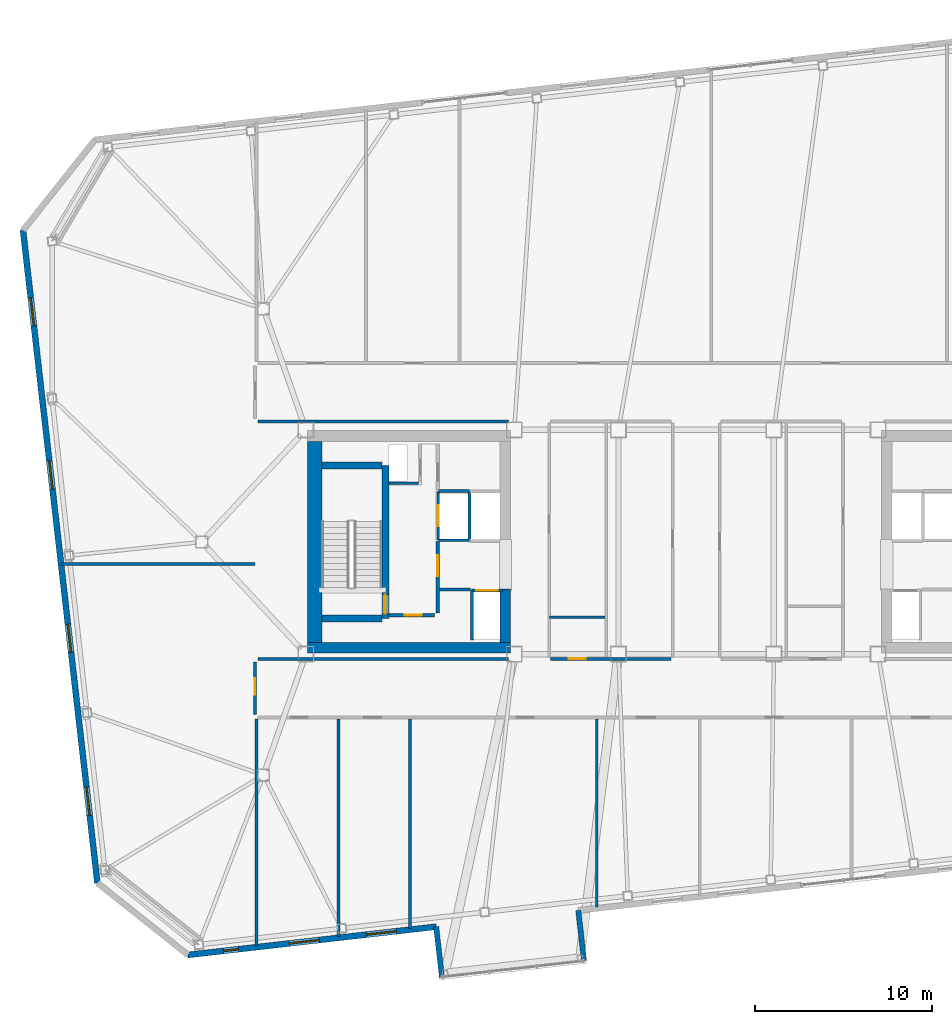
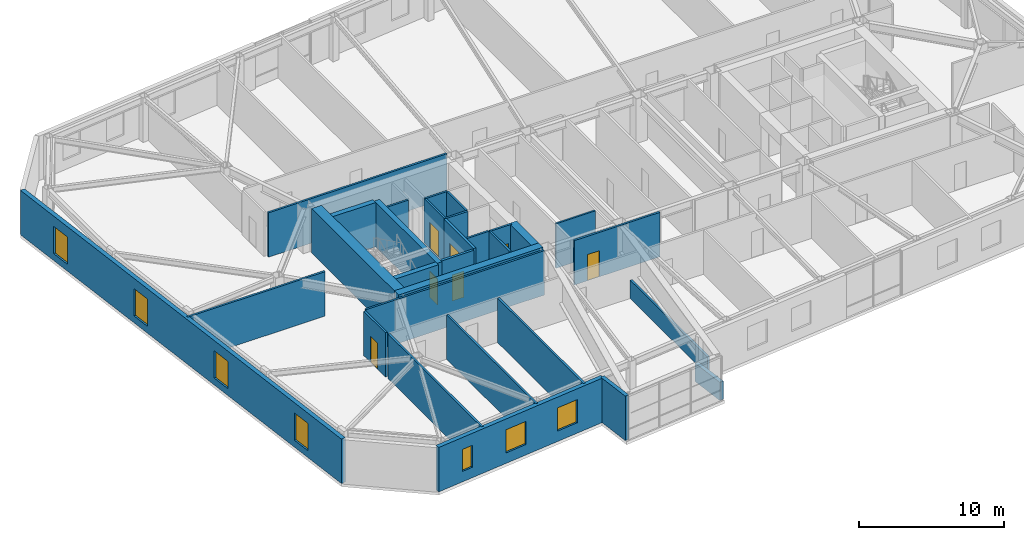
# One storey, part 13 of 19: 30 walls, 7 doors, 7 windows, 14 openings.
"""IFC4 building model written with IfcOpenShell, lengths in metres."""

from ifc_helpers import new_model, si_unit, direction, frame, frame_2d, origin, place, context, subcontext, project, spatial, rectangle, extrude, material, layer, layer_set, type_object, element, fill, save


model = new_model("IFC4")

# Units and contexts
model_context = context("Model", 3, precision=1e-05, world=origin(), true_north=direction((0.0, 1.0)))
body_context = subcontext(model_context, "Body", "Model", "MODEL_VIEW")
ifc_project = project(units=[si_unit("LENGTHUNIT", "METRE"), si_unit("AREAUNIT", "SQUARE_METRE"), si_unit("VOLUMEUNIT", "CUBIC_METRE"), si_unit("PLANEANGLEUNIT", "RADIAN"), si_unit("MASSUNIT", "GRAM", prefix="KILO")], contexts=[model_context])

# Site, building, storey
site_placement = place(None, origin())
site = spatial("IfcSite", under=ifc_project, at=site_placement, CompositionType="ELEMENT")
building_placement = place(site_placement, origin())
building = spatial("IfcBuilding", under=site, at=building_placement, Name="Tavrogorsk Clinical Tower", CompositionType="ELEMENT")
storey_placement = place(building_placement, frame((0.0, 0.0, 218.199951171875)))
storey = spatial("IfcBuildingStorey", under=building, at=storey_placement, Name="L50", CompositionType="ELEMENT", Elevation=218.199951171875)

# Wall, opening, door
ifc_material_1 = material(Name="Concrete B60", Category="concrete")
ifc_layer_1 = layer(ifc_material_1, 0.199951171875)
ifc_layer_set_1 = layer_set([ifc_layer_1], Name="Concrete B60")
wall_type_1 = type_object("IfcWallType", Name="CoreFireWall_200", PredefinedType="SOLIDWALL", material=ifc_layer_set_1)
wall_1_placement = place(storey_placement, frame((-17.3798828125, -4.139892578125, 0.0), z_axis=(0.0, 0.0, 1.0), x_axis=(1.0, 0.0, 0.0)))
wall_1 = element("IfcWall", 1, at=wall_1_placement, inside=storey, type_object=wall_type_1, Name="L50 Core West South Core Room Fire Wall", PredefinedType="SOLIDWALL", context=body_context, shape_type="SweptSolid", body=[
    extrude(rectangle(XDim=2.554931640625, YDim=0.199951171875, at=frame_2d((1.27734375, 0.0))), origin(), (0.0, 0.0, 1.0), 3.739990234375),
])
opening_1_placement = place(wall_1_placement, frame((0.8798828125, 0.0, 0.0)))
opening_1 = element("IfcOpeningElement", 2, at=opening_1_placement, cuts=wall_1, Name="Opening ID-02", PredefinedType="OPENING", context=body_context, shape_type="SweptSolid", body=[
    extrude(rectangle(XDim=0.949951171875, YDim=2.199951171875, at=frame_2d((0.47509765625, 1.10009765625))), frame((0.0, 0.10986328125, 0.0), z_axis=(0.0, -1.0, 0.0), x_axis=(1.0, 0.0, 0.0)), (0.0, 0.0, 1.0), 0.219970703125),
])
ifc_material_2 = material(Name="Laminated timber leaf on aluminium frame", Category="wood")
door_type_1 = type_object("IfcDoorType", Name="InteriorDoor_ID02_950", OperationType="NOTDEFINED", PredefinedType="DOOR", material=ifc_material_2)
door_1_placement = place(opening_1_placement, origin())
door_1 = element("IfcDoor", 3, at=door_1_placement, inside=storey, type_object=door_type_1, Name="L50 Core West South Core Room Door", OperationType="SINGLE_SWING_RIGHT", OverallHeight=2.199951171875, OverallWidth=0.949951171875, PredefinedType="DOOR", context=body_context, shape_type="SweptSolid", body=[
    extrude(rectangle(XDim=0.949951171875, YDim=2.199951171875, at=frame_2d((0.47509765625, 1.10009765625))), frame((0.0, 0.02490234375, 0.0), z_axis=(0.0, -1.0, 0.0), x_axis=(1.0, 0.0, 0.0)), (0.0, 0.0, 1.0), 0.050048828125),
])
fill(opening_1, door_1)

wall_2_placement = place(storey_placement, frame((-14.639892578125, -4.034912109375, 0.0), z_axis=(0.0, 0.0, 1.0), x_axis=(0.0, 1.0, 0.0)))
wall_2 = element("IfcWall", 4, at=wall_2_placement, inside=storey, type_object=wall_type_1, Name="L50 Core West Firefighting Lobby Fire Wall", PredefinedType="SOLIDWALL", context=body_context, shape_type="SweptSolid", body=[
    extrude(rectangle(XDim=4.074951171875, YDim=0.199951171875, at=frame_2d((2.03759765625, 0.0))), origin(), (0.0, 0.0, 1.0), 3.739990234375),
])
opening_2_placement = place(wall_2_placement, frame((2.090087890625, 0.0, 0.0)))
opening_2 = element("IfcOpeningElement", 5, at=opening_2_placement, cuts=wall_2, Name="Opening FD-01", PredefinedType="OPENING", context=body_context, shape_type="SweptSolid", body=[
    extrude(rectangle(XDim=1.199951171875, YDim=2.199951171875, at=frame_2d((0.60009765625, 1.10009765625))), frame((0.0, 0.10986328125, 0.0), z_axis=(0.0, -1.0, 0.0), x_axis=(1.0, 0.0, 0.0)), (0.0, 0.0, 1.0), 0.219970703125),
])
ifc_material_3 = material(Name="Galvanised steel fire-rated door assembly", Category="steel")
door_type_2 = type_object("IfcDoorType", Name="FireDoor_FD01_1200", OperationType="NOTDEFINED", PredefinedType="DOOR", material=ifc_material_3)
door_2_placement = place(opening_2_placement, origin())
door_2 = element("IfcDoor", 6, at=door_2_placement, inside=storey, type_object=door_type_2, Name="L50 Core West Firefighting Lobby Entry Door", OperationType="SINGLE_SWING_RIGHT", OverallHeight=2.199951171875, OverallWidth=1.199951171875, PredefinedType="DOOR", context=body_context, shape_type="SweptSolid", body=[
    extrude(rectangle(XDim=1.199951171875, YDim=2.199951171875, at=frame_2d((0.60009765625, 1.10009765625))), frame((0.0, 0.02490234375, 0.0), z_axis=(0.0, -1.0, 0.0), x_axis=(1.0, 0.0, 0.0)), (0.0, 0.0, 1.0), 0.050048828125),
])
fill(opening_2, door_2)

# Walls
ifc_material_4 = material(Name="Lightweight concrete blockwork B15", Category="masonry")
ifc_layer_2 = layer(ifc_material_4, 0.139892578125)
ifc_layer_set_2 = layer_set([ifc_layer_2], Name="Lightweight concrete blockwork B15")
wall_type_2 = type_object("IfcWallType", Name="PartitionWall_140", PredefinedType="PARTITIONING", material=ifc_layer_set_2)
wall_3_placement = place(storey_placement, frame((-8.31494140625, -4.25, 0.0), z_axis=(0.0, 0.0, 1.0), x_axis=(1.0, 0.0, 0.0)))
element("IfcWall", 7, at=wall_3_placement, inside=storey, type_object=wall_type_2, Name="L50 Central Spine Partition 3", PredefinedType="PARTITIONING", context=body_context, shape_type="SweptSolid", body=[
    extrude(rectangle(XDim=3.139892578125, YDim=0.139892578125, at=frame_2d((1.56982421875, 0.0))), origin(), (0.0, 0.0, 1.0), 3.739990234375),
])
ifc_material_5 = material(Name="Lightweight concrete blockwork B15", Category="masonry")
ifc_layer_3 = layer(ifc_material_5, 0.159912109375)
ifc_layer_set_3 = layer_set([ifc_layer_3], Name="Lightweight concrete blockwork B15")
wall_type_3 = type_object("IfcWallType", Name="PartitionWall_160", PredefinedType="PARTITIONING", material=ifc_layer_set_3)
wall_4_placement = place(storey_placement, frame((-14.534912109375, -2.699951171875, 0.0), z_axis=(0.0, 0.0, 1.0), x_axis=(1.0, 0.0, 0.0)))
element("IfcWall", 8, at=wall_4_placement, inside=storey, type_object=wall_type_3, Name="L50 Core West Freed Low-Bank North Partition", PredefinedType="PARTITIONING", context=body_context, shape_type="SweptSolid", body=[
    extrude(rectangle(XDim=1.760009765625, YDim=0.159912109375, at=frame_2d((0.8798828125, 0.0))), origin(), (0.0, 0.0, 1.0), 3.739990234375),
])

# Wall, opening, door
wall_5_placement = place(storey_placement, frame((-24.97998046875, -9.764892578125, 0.0), z_axis=(0.0, 0.0, 1.0), x_axis=(0.0, 1.0, 0.0)))
wall_5 = element("IfcWall", 9, at=wall_5_placement, inside=storey, type_object=wall_type_3, Name="L50 Corridor Partition 01", PredefinedType="PARTITIONING", context=body_context, shape_type="SweptSolid", body=[
    extrude(rectangle(XDim=2.97998046875, YDim=0.159912109375, at=frame_2d((1.489990234375, 0.0))), origin(), (0.0, 0.0, 1.0), 3.739990234375),
])
opening_3_placement = place(wall_5_placement, frame((1.10009765625, 0.0, 0.0)))
opening_3 = element("IfcOpeningElement", 10, at=opening_3_placement, cuts=wall_5, Name="Opening ID-02", PredefinedType="OPENING", context=body_context, shape_type="SweptSolid", body=[
    extrude(rectangle(XDim=0.949951171875, YDim=2.199951171875, at=frame_2d((0.47509765625, 1.10009765625))), frame((0.0, 0.08984375, 0.0), z_axis=(0.0, -1.0, 0.0), x_axis=(1.0, 0.0, 0.0)), (0.0, 0.0, 1.0), 0.179931640625),
])
door_3_placement = place(opening_3_placement, origin())
door_3 = element("IfcDoor", 11, at=door_3_placement, inside=storey, type_object=door_type_1, Name="L50 W Solarium Day Room & Lounge 1 Door", OperationType="SINGLE_SWING_RIGHT", OverallHeight=2.199951171875, OverallWidth=0.949951171875, PredefinedType="DOOR", context=body_context, shape_type="SweptSolid", body=[
    extrude(rectangle(XDim=0.949951171875, YDim=2.199951171875, at=frame_2d((0.47509765625, 1.10009765625))), frame((0.0, 0.02490234375, 0.0), z_axis=(0.0, -1.0, 0.0), x_axis=(1.0, 0.0, 0.0)), (0.0, 0.0, 1.0), 0.050048828125),
])
fill(opening_3, door_3)

# Walls
for number, where, z_axis, x_axis, name in (
    (12, (-24.81494140625, -6.6201171875, 0.0), (0.0, 0.0, 1.0), (1.0, 0.0, 0.0), "L50 Corridor Partition 02"),
    (13, (-10.6298828125, 6.820068359375, 0.0), (0.0, 0.0, 1.0), (-1.0, 0.0, 0.0), "L50 Corridor Partition 03"),
):
    element("IfcWall", number, at=place(storey_placement, frame(where, z_axis=z_axis, x_axis=x_axis)), inside=storey, type_object=wall_type_3, Name=name, PredefinedType="PARTITIONING", context=body_context, shape_type="SweptSolid", body=[
        extrude(rectangle(XDim=14.18505859375, YDim=0.159912109375, at=frame_2d((7.092529296875, 0.0))), origin(), (0.0, 0.0, 1.0), 3.739990234375),
    ])

# Wall, opening, door
wall_6_placement = place(storey_placement, frame((-8.235107421875, -6.6201171875, 0.0), z_axis=(0.0, 0.0, 1.0), x_axis=(1.0, 0.0, 0.0)))
wall_6 = element("IfcWall", 14, at=wall_6_placement, inside=storey, type_object=wall_type_3, Name="L50 Corridor Partition 18", PredefinedType="PARTITIONING", context=body_context, shape_type="SweptSolid", body=[
    extrude(rectangle(XDim=6.820068359375, YDim=0.159912109375, at=frame_2d((3.41015625, 0.0))), origin(), (0.0, 0.0, 1.0), 3.739990234375),
])
opening_4_placement = place(wall_6_placement, frame((1.029052734375, 0.0, 0.0)))
opening_4 = element("IfcOpeningElement", 15, at=opening_4_placement, cuts=wall_6, Name="Opening ID-02", PredefinedType="OPENING", context=body_context, shape_type="SweptSolid", body=[
    extrude(rectangle(XDim=0.949951171875, YDim=2.199951171875, at=frame_2d((0.47509765625, 1.10009765625))), frame((0.0, 0.08984375, 0.0), z_axis=(0.0, -1.0, 0.0), x_axis=(1.0, 0.0, 0.0)), (0.0, 0.0, 1.0), 0.179931640625),
])
door_4_placement = place(opening_4_placement, origin())
door_4 = element("IfcDoor", 16, at=door_4_placement, inside=storey, type_object=door_type_1, Name="L50 Accessible Patient Lavatory Door", OperationType="SINGLE_SWING_RIGHT", OverallHeight=2.199951171875, OverallWidth=0.949951171875, PredefinedType="DOOR", context=body_context, shape_type="SweptSolid", body=[
    extrude(rectangle(XDim=0.949951171875, YDim=2.199951171875, at=frame_2d((0.47509765625, 1.10009765625))), frame((0.0, 0.02490234375, 0.0), z_axis=(0.0, -1.0, 0.0), x_axis=(1.0, 0.0, 0.0)), (0.0, 0.0, 1.0), 0.050048828125),
])
fill(opening_4, door_4)

# Walls
wall_7_placement = place(storey_placement, frame((-24.89990234375, -22.873291015625, 0.0), z_axis=(0.0, 0.0, 1.0), x_axis=(0.0, 1.0, 0.0)))
element("IfcWall", 17, at=wall_7_placement, inside=storey, type_object=wall_type_3, Name="L50 SW Wing Closure Partition", PredefinedType="PARTITIONING", context=body_context, shape_type="SweptSolid", body=[
    extrude(rectangle(XDim=12.8583984375, YDim=0.159912109375, at=frame_2d((6.42919921875, 0.0))), origin(), (0.0, 0.0, 1.0), 3.739990234375),
])
wall_8_placement = place(storey_placement, frame((-20.25, -22.343505859375, 0.0), z_axis=(0.0, 0.0, 1.0), x_axis=(0.0, 1.0, 0.0)))
element("IfcWall", 18, at=wall_8_placement, inside=storey, type_object=wall_type_3, Name="L50 South Room Partition 1", PredefinedType="PARTITIONING", context=body_context, shape_type="SweptSolid", body=[
    extrude(rectangle(XDim=12.32861328125, YDim=0.159912109375, at=frame_2d((6.164306640625, 0.0))), origin(), (0.0, 0.0, 1.0), 3.739990234375),
])
wall_9_placement = place(storey_placement, frame((-16.199951171875, -21.882080078125, 0.0), z_axis=(0.0, 0.0, 1.0), x_axis=(0.0, 1.0, 0.0)))
element("IfcWall", 19, at=wall_9_placement, inside=storey, type_object=wall_type_3, Name="L50 South Room Partition 2", PredefinedType="PARTITIONING", context=body_context, shape_type="SweptSolid", body=[
    extrude(rectangle(XDim=11.8671875, YDim=0.159912109375, at=frame_2d((5.93359375, 0.0))), origin(), (0.0, 0.0, 1.0), 3.739990234375),
])
wall_10_placement = place(storey_placement, frame((-5.6298828125, -20.677978515625, 0.0), z_axis=(0.0, 0.0, 1.0), x_axis=(0.0, 1.0, 0.0)))
element("IfcWall", 20, at=wall_10_placement, inside=storey, type_object=wall_type_3, Name="L50 South Room Partition 3", PredefinedType="PARTITIONING", context=body_context, shape_type="SweptSolid", body=[
    extrude(rectangle(XDim=10.6630859375, YDim=0.159912109375, at=frame_2d((5.33154296875, 0.0))), origin(), (0.0, 0.0, 1.0), 1.53515625),
])
wall_11_placement = place(storey_placement, frame((-35.944580078125, -1.25, 0.0), z_axis=(0.0, 0.0, 1.0), x_axis=(1.0, 0.0, 0.0)))
element("IfcWall", 21, at=wall_11_placement, inside=storey, type_object=wall_type_3, Name="L50 W Wing Divider 1", PredefinedType="PARTITIONING", context=body_context, shape_type="SweptSolid", body=[
    extrude(rectangle(XDim=10.964599609375, YDim=0.159912109375, at=frame_2d((5.482421875, 0.0))), origin(), (0.0, 0.0, 1.0), 3.739990234375),
])

# Wall, openings, windows
ifc_material_6 = material(Name="Precast concrete B45 with limestone cladding", Category="masonry")
ifc_layer_4 = layer(ifc_material_6, 0.340087890625)
ifc_layer_set_4 = layer_set([ifc_layer_4], Name="Precast concrete B45 with limestone cladding")
wall_type_4 = type_object("IfcWallType", Name="PrecastLimestoneWall_340", PredefinedType="STANDARD", material=ifc_layer_set_4)
wall_12_placement = place(storey_placement, frame((-28.78271484375, -23.38623046875, 0.0), z_axis=(0.0, 0.0, 1.0), x_axis=(0.993572262951, 0.113199639106, 0.0)))
wall_12 = element("IfcWall", 22, at=wall_12_placement, inside=storey, type_object=wall_type_4, Name="L50 S Limestone Facade Wall 1", PredefinedType="STANDARD", context=body_context, shape_type="SweptSolid", body=[
    extrude(rectangle(XDim=14.150390625, YDim=0.340087890625, at=frame_2d((7.0751953125, 0.0))), origin(), (0.0, 0.0, 1.0), 3.739990234375),
])
opening_5_placement = place(wall_12_placement, frame((2.030029296875, 0.0, 0.8798828125)))
opening_5 = element("IfcOpeningElement", 23, at=opening_5_placement, cuts=wall_12, Name="Opening WN-06", PredefinedType="OPENING", context=body_context, shape_type="SweptSolid", body=[
    extrude(rectangle(XDim=0.85009765625, YDim=1.85009765625, at=frame_2d((0.425048828125, 0.925048828125))), frame((0.0, 0.179931640625, 0.0), z_axis=(0.0, -1.0, 0.0), x_axis=(1.0, 0.0, 0.0)), (0.0, 0.0, 1.0), 0.360107421875),
])
opening_6_placement = place(wall_12_placement, frame((5.778564453125, 0.0, 0.8798828125)))
opening_6 = element("IfcOpeningElement", 24, at=opening_6_placement, cuts=wall_12, Name="Opening WN-15", PredefinedType="OPENING", context=body_context, shape_type="SweptSolid", body=[
    extrude(rectangle(XDim=1.699951171875, YDim=1.949951171875, at=frame_2d((0.85009765625, 0.97509765625))), frame((0.0, 0.179931640625, 0.0), z_axis=(0.0, -1.0, 0.0), x_axis=(1.0, 0.0, 0.0)), (0.0, 0.0, 1.0), 0.360107421875),
])
opening_7_placement = place(wall_12_placement, frame((10.1787109375, 0.0, 0.8798828125)))
opening_7 = element("IfcOpeningElement", 25, at=opening_7_placement, cuts=wall_12, Name="Opening WN-15", PredefinedType="OPENING", context=body_context, shape_type="SweptSolid", body=[
    extrude(rectangle(XDim=1.699951171875, YDim=1.949951171875, at=frame_2d((0.85009765625, 0.97509765625))), frame((0.0, 0.179931640625, 0.0), z_axis=(0.0, -1.0, 0.0), x_axis=(1.0, 0.0, 0.0)), (0.0, 0.0, 1.0), 0.360107421875),
])
ifc_material_7 = material(Name="Thermally broken aluminium frame and triple IGU", Category="aluminium")
window_type_1 = type_object("IfcWindowType", Name="MullionSubWin_850x1850", PartitioningType="SINGLE_PANEL", PredefinedType="WINDOW", material=ifc_material_7)
window_1_placement = place(opening_5_placement, origin())
window_1 = element("IfcWindow", 26, at=window_1_placement, inside=storey, type_object=window_type_1, Name="L50 S Mullion Split Window 01A", OverallHeight=1.85009765625, OverallWidth=0.85009765625, PartitioningType="SINGLE_PANEL", PredefinedType="WINDOW", context=body_context, shape_type="SweptSolid", body=[
    extrude(rectangle(XDim=0.85009765625, YDim=1.85009765625, at=frame_2d((0.425048828125, 0.925048828125))), frame((0.0, 0.030029296875, 0.0), z_axis=(0.0, -1.0, 0.0), x_axis=(1.0, 0.0, 0.0)), (0.0, 0.0, 1.0), 0.06005859375),
])
fill(opening_5, window_1)
ifc_material_8 = material(Name="Thermally broken aluminium frame and triple IGU", Category="aluminium")
window_type_2 = type_object("IfcWindowType", Name="OfficeChicagoWin_1700x1950", PartitioningType="SINGLE_PANEL", PredefinedType="WINDOW", material=ifc_material_8)
window_2_placement = place(opening_6_placement, origin())
window_2 = element("IfcWindow", 27, at=window_2_placement, inside=storey, type_object=window_type_2, Name="L50 S Chicago Window 02", OverallHeight=1.949951171875, OverallWidth=1.699951171875, PartitioningType="SINGLE_PANEL", PredefinedType="WINDOW", context=body_context, shape_type="SweptSolid", body=[
    extrude(rectangle(XDim=1.699951171875, YDim=1.949951171875, at=frame_2d((0.85009765625, 0.97509765625))), frame((0.0, 0.030029296875, 0.0), z_axis=(0.0, -1.0, 0.0), x_axis=(1.0, 0.0, 0.0)), (0.0, 0.0, 1.0), 0.06005859375),
])
fill(opening_6, window_2)
window_3_placement = place(opening_7_placement, origin())
window_3 = element("IfcWindow", 28, at=window_3_placement, inside=storey, type_object=window_type_2, Name="L50 S Chicago Window 03", OverallHeight=1.949951171875, OverallWidth=1.699951171875, PartitioningType="SINGLE_PANEL", PredefinedType="WINDOW", context=body_context, shape_type="SweptSolid", body=[
    extrude(rectangle(XDim=1.699951171875, YDim=1.949951171875, at=frame_2d((0.85009765625, 0.97509765625))), frame((0.0, 0.030029296875, 0.0), z_axis=(0.0, -1.0, 0.0), x_axis=(1.0, 0.0, 0.0)), (0.0, 0.0, 1.0), 0.06005859375),
])
fill(opening_7, window_3)

wall_13_placement = place(storey_placement, frame((-38.1181640625, 17.65087890625, 0.0), z_axis=(0.0, 0.0, 1.0), x_axis=(0.11320360501, -0.9935718111, 0.0)))
wall_13 = element("IfcWall", 29, at=wall_13_placement, inside=storey, type_object=wall_type_4, Name="L50 W Pleated Limestone Wing Wall", PredefinedType="STANDARD", context=body_context, shape_type="SweptSolid", body=[
    extrude(rectangle(XDim=37.199951171875, YDim=0.340087890625, at=frame_2d((18.60009765625, 0.0))), origin(), (0.0, 0.0, 1.0), 3.739990234375),
])
opening_8_placement = place(wall_13_placement, frame((3.85009765625, 0.0, 0.580078125)))
opening_8 = element("IfcOpeningElement", 30, at=opening_8_placement, cuts=wall_13, Name="Opening WN-07", PredefinedType="OPENING", context=body_context, shape_type="SweptSolid", body=[
    extrude(rectangle(XDim=1.60009765625, YDim=2.300048828125, at=frame_2d((0.800048828125, 1.14990234375))), frame((0.0, 0.179931640625, 0.0), z_axis=(0.0, -1.0, 0.0), x_axis=(1.0, 0.0, 0.0)), (0.0, 0.0, 1.0), 0.360107421875),
])
opening_9_placement = place(wall_13_placement, frame((13.14990234375, 0.0, 0.580078125)))
opening_9 = element("IfcOpeningElement", 31, at=opening_9_placement, cuts=wall_13, Name="Opening WN-07", PredefinedType="OPENING", context=body_context, shape_type="SweptSolid", body=[
    extrude(rectangle(XDim=1.60009765625, YDim=2.300048828125, at=frame_2d((0.800048828125, 1.14990234375))), frame((0.0, 0.179931640625, 0.0), z_axis=(0.0, -1.0, 0.0), x_axis=(1.0, 0.0, 0.0)), (0.0, 0.0, 1.0), 0.360107421875),
])
opening_10_placement = place(wall_13_placement, frame((22.449951171875, 0.0, 0.580078125)))
opening_10 = element("IfcOpeningElement", 32, at=opening_10_placement, cuts=wall_13, Name="Opening WN-07", PredefinedType="OPENING", context=body_context, shape_type="SweptSolid", body=[
    extrude(rectangle(XDim=1.60009765625, YDim=2.300048828125, at=frame_2d((0.800048828125, 1.14990234375))), frame((0.0, 0.179931640625, 0.0), z_axis=(0.0, -1.0, 0.0), x_axis=(1.0, 0.0, 0.0)), (0.0, 0.0, 1.0), 0.360107421875),
])
opening_11_placement = place(wall_13_placement, frame((31.75, 0.0, 0.580078125)))
opening_11 = element("IfcOpeningElement", 33, at=opening_11_placement, cuts=wall_13, Name="Opening WN-07", PredefinedType="OPENING", context=body_context, shape_type="SweptSolid", body=[
    extrude(rectangle(XDim=1.60009765625, YDim=2.300048828125, at=frame_2d((0.800048828125, 1.14990234375))), frame((0.0, 0.179931640625, 0.0), z_axis=(0.0, -1.0, 0.0), x_axis=(1.0, 0.0, 0.0)), (0.0, 0.0, 1.0), 0.360107421875),
])
ifc_material_9 = material(Name="Thermally broken aluminium frame and triple IGU", Category="aluminium")
window_type_3 = type_object("IfcWindowType", Name="PleatSlotWin_1600x2300", PartitioningType="SINGLE_PANEL", PredefinedType="WINDOW", material=ifc_material_9)
window_4_placement = place(opening_8_placement, origin())
window_4 = element("IfcWindow", 34, at=window_4_placement, inside=storey, type_object=window_type_3, Name="L50 W Pleat Slot Window 1", OverallHeight=2.300048828125, OverallWidth=1.60009765625, PartitioningType="SINGLE_PANEL", PredefinedType="WINDOW", context=body_context, shape_type="SweptSolid", body=[
    extrude(rectangle(XDim=1.60009765625, YDim=2.300048828125, at=frame_2d((0.800048828125, 1.14990234375))), frame((0.0, 0.030029296875, 0.0), z_axis=(0.0, -1.0, 0.0), x_axis=(1.0, 0.0, 0.0)), (0.0, 0.0, 1.0), 0.06005859375),
])
fill(opening_8, window_4)
window_5_placement = place(opening_9_placement, origin())
window_5 = element("IfcWindow", 35, at=window_5_placement, inside=storey, type_object=window_type_3, Name="L50 W Pleat Slot Window 2", OverallHeight=2.300048828125, OverallWidth=1.60009765625, PartitioningType="SINGLE_PANEL", PredefinedType="WINDOW", context=body_context, shape_type="SweptSolid", body=[
    extrude(rectangle(XDim=1.60009765625, YDim=2.300048828125, at=frame_2d((0.800048828125, 1.14990234375))), frame((0.0, 0.030029296875, 0.0), z_axis=(0.0, -1.0, 0.0), x_axis=(1.0, 0.0, 0.0)), (0.0, 0.0, 1.0), 0.06005859375),
])
fill(opening_9, window_5)
window_6_placement = place(opening_10_placement, origin())
window_6 = element("IfcWindow", 36, at=window_6_placement, inside=storey, type_object=window_type_3, Name="L50 W Pleat Slot Window 3", OverallHeight=2.300048828125, OverallWidth=1.60009765625, PartitioningType="SINGLE_PANEL", PredefinedType="WINDOW", context=body_context, shape_type="SweptSolid", body=[
    extrude(rectangle(XDim=1.60009765625, YDim=2.300048828125, at=frame_2d((0.800048828125, 1.14990234375))), frame((0.0, 0.030029296875, 0.0), z_axis=(0.0, -1.0, 0.0), x_axis=(1.0, 0.0, 0.0)), (0.0, 0.0, 1.0), 0.06005859375),
])
fill(opening_10, window_6)
window_7_placement = place(opening_11_placement, origin())
window_7 = element("IfcWindow", 37, at=window_7_placement, inside=storey, type_object=window_type_3, Name="L50 W Pleat Slot Window 4", OverallHeight=2.300048828125, OverallWidth=1.60009765625, PartitioningType="SINGLE_PANEL", PredefinedType="WINDOW", context=body_context, shape_type="SweptSolid", body=[
    extrude(rectangle(XDim=1.60009765625, YDim=2.300048828125, at=frame_2d((0.800048828125, 1.14990234375))), frame((0.0, 0.030029296875, 0.0), z_axis=(0.0, -1.0, 0.0), x_axis=(1.0, 0.0, 0.0)), (0.0, 0.0, 1.0), 0.06005859375),
])
fill(opening_11, window_7)

# Wall, opening, door
ifc_material_10 = material(Name="Lightweight concrete blockwork B25", Category="masonry")
ifc_layer_5 = layer(ifc_material_10, 0.159912109375)
ifc_layer_set_5 = layer_set([ifc_layer_5], Name="Lightweight concrete blockwork B25")
wall_type_5 = type_object("IfcWallType", Name="ShaftWall_160", PredefinedType="PARTITIONING", material=ifc_layer_set_5)
wall_14_placement = place(storey_placement, frame((-14.60009765625, 0.1201171875, 0.0), z_axis=(0.0, 0.0, 1.0), x_axis=(0.0, 1.0, 0.0)))
wall_14 = element("IfcWall", 38, at=wall_14_placement, inside=storey, type_object=wall_type_5, Name="L50 FFL-W Firefighting Lift Front Wall", PredefinedType="PARTITIONING", context=body_context, shape_type="SweptSolid", body=[
    extrude(rectangle(XDim=2.739990234375, YDim=0.159912109375, at=frame_2d((1.3701171875, 0.0))), origin(), (0.0, 0.0, 1.0), 3.739990234375),
])
opening_12_placement = place(wall_14_placement, frame((0.77001953125, 0.0, 0.0)))
opening_12 = element("IfcOpeningElement", 39, at=opening_12_placement, cuts=wall_14, Name="Opening LD", PredefinedType="OPENING", context=body_context, shape_type="SweptSolid", body=[
    extrude(rectangle(XDim=1.199951171875, YDim=2.199951171875, at=frame_2d((0.60009765625, 1.10009765625))), frame((0.0, 0.08984375, 0.0), z_axis=(0.0, -1.0, 0.0), x_axis=(1.0, 0.0, 0.0)), (0.0, 0.0, 1.0), 0.179931640625),
])
ifc_material_11 = material(Name="Brushed stainless steel AISI 304 sliding doors", Category="steel")
door_type_3 = type_object("IfcDoorType", Name="LiftLandingDoor_LD_1200", OperationType="SLIDING_TO_LEFT", PredefinedType="DOOR", material=ifc_material_11)
door_5_placement = place(opening_12_placement, origin())
door_5 = element("IfcDoor", 40, at=door_5_placement, inside=storey, type_object=door_type_3, Name="L50 FFL-W Sliding Lift Landing Door", OperationType="SLIDING_TO_LEFT", OverallHeight=2.199951171875, OverallWidth=1.199951171875, PredefinedType="DOOR", context=body_context, shape_type="SweptSolid", body=[
    extrude(rectangle(XDim=1.199951171875, YDim=2.199951171875, at=frame_2d((0.60009765625, 1.10009765625))), frame((0.0, 0.02490234375, 0.0), z_axis=(0.0, -1.0, 0.0), x_axis=(1.0, 0.0, 0.0)), (0.0, 0.0, 1.0), 0.050048828125),
])
fill(opening_12, door_5)

# Walls
for number, where, z_axis, x_axis, name in (
    (41, (-14.60009765625, 0.10009765625, 0.0), (0.0, 0.0, 1.0), (1.0, 0.0, 0.0), "L50 FFL-W Shaft South Wall"),
    (42, (-14.60009765625, 2.8798828125, 0.0), (0.0, 0.0, 1.0), (1.0, 0.0, 0.0), "L50 FFL-W Shaft North Wall"),
):
    element("IfcWall", number, at=place(storey_placement, frame(where, z_axis=z_axis, x_axis=x_axis)), inside=storey, type_object=wall_type_5, Name=name, PredefinedType="PARTITIONING", context=body_context, shape_type="SweptSolid", body=[
        extrude(rectangle(XDim=1.760009765625, YDim=0.159912109375, at=frame_2d((0.8798828125, 0.0))), origin(), (0.0, 0.0, 1.0), 3.739990234375),
    ])
wall_15_placement = place(storey_placement, frame((-12.840087890625, 0.179931640625, 0.0), z_axis=(0.0, 0.0, 1.0), x_axis=(0.0, 1.0, 0.0)))
element("IfcWall", 43, at=wall_15_placement, inside=storey, type_object=wall_type_5, Name="L50 FFL-W Shaft Back Wall", PredefinedType="PARTITIONING", context=body_context, shape_type="SweptSolid", body=[
    extrude(rectangle(XDim=2.6201171875, YDim=0.159912109375, at=frame_2d((1.31005859375, 0.0))), origin(), (0.0, 0.0, 1.0), 3.739990234375),
])

# Wall, opening, door
wall_16_placement = place(storey_placement, frame((-12.72998046875, -2.75, 0.0), z_axis=(0.0, 0.0, 1.0), x_axis=(1.0, 0.0, 0.0)))
wall_16 = element("IfcWall", 44, at=wall_16_placement, inside=storey, type_object=wall_type_5, Name="L50 LP-M1 Lift Shaft Portal Wall", PredefinedType="PARTITIONING", context=body_context, shape_type="SweptSolid", body=[
    extrude(rectangle(XDim=1.760009765625, YDim=0.159912109375, at=frame_2d((0.8798828125, 0.0))), origin(), (0.0, 0.0, 1.0), 3.739990234375),
])
opening_13_placement = place(wall_16_placement, frame((0.280029296875, 0.0, 0.0)))
opening_13 = element("IfcOpeningElement", 45, at=opening_13_placement, cuts=wall_16, Name="Opening LD", PredefinedType="OPENING", context=body_context, shape_type="SweptSolid", body=[
    extrude(rectangle(XDim=1.199951171875, YDim=2.199951171875, at=frame_2d((0.60009765625, 1.10009765625))), frame((0.0, 0.08984375, 0.0), z_axis=(0.0, -1.0, 0.0), x_axis=(1.0, 0.0, 0.0)), (0.0, 0.0, 1.0), 0.179931640625),
])
door_6_placement = place(opening_13_placement, origin())
door_6 = element("IfcDoor", 46, at=door_6_placement, inside=storey, type_object=door_type_3, Name="L50 LP-M1 Sliding Lift Landing Door", OperationType="SLIDING_TO_LEFT", OverallHeight=2.199951171875, OverallWidth=1.199951171875, PredefinedType="DOOR", context=body_context, shape_type="SweptSolid", body=[
    extrude(rectangle(XDim=1.199951171875, YDim=2.199951171875, at=frame_2d((0.60009765625, 1.10009765625))), frame((0.0, 0.02490234375, 0.0), z_axis=(0.0, -1.0, 0.0), x_axis=(1.0, 0.0, 0.0)), (0.0, 0.0, 1.0), 0.050048828125),
])
fill(opening_13, door_6)

# Walls
wall_17_placement = place(storey_placement, frame((-17.3798828125, 3.320068359375, 0.0), z_axis=(0.0, 0.0, 1.0), x_axis=(1.0, 0.0, 0.0)))
element("IfcWall", 47, at=wall_17_placement, inside=storey, type_object=wall_type_5, Name="L50 Core West Riser South Wall", PredefinedType="PARTITIONING", context=body_context, shape_type="SweptSolid", body=[
    extrude(rectangle(XDim=1.65478515625, YDim=0.159912109375, at=frame_2d((0.827392578125, 0.0))), origin(), (0.0, 0.0, 1.0), 3.739990234375),
])
wall_18_placement = place(storey_placement, frame((-12.68994140625, -5.56005859375, 0.0), z_axis=(0.0, 0.0, 1.0), x_axis=(0.0, 1.0, 0.0)))
element("IfcWall", 48, at=wall_18_placement, inside=storey, type_object=wall_type_5, Name="L50 Core West Freed Low-Bank Shaft Divider", PredefinedType="PARTITIONING", context=body_context, shape_type="SweptSolid", body=[
    extrude(rectangle(XDim=2.775146484375, YDim=0.159912109375, at=frame_2d((1.3876953125, 0.0))), origin(), (0.0, 0.0, 1.0), 3.739990234375),
])

# Wall, opening, door
ifc_material_12 = material(Name="Concrete B80", Category="concrete")
ifc_layer_6 = layer(ifc_material_12, 0.39990234375)
ifc_layer_set_6 = layer_set([ifc_layer_6], Name="Concrete B80")
wall_type_6 = type_object("IfcWallType", Name="ShearWall_400", PredefinedType="SHEAR", material=ifc_layer_set_6)
wall_19_placement = place(storey_placement, frame((-17.60009765625, -4.324951171875, 0.0), z_axis=(0.0, 0.0, 1.0), x_axis=(0.0, 1.0, 0.0)))
wall_19 = element("IfcWall", 49, at=wall_19_placement, inside=storey, type_object=wall_type_6, Name="L50 Core West Stair Shaft Inner Shear Wall", PredefinedType="SHEAR", context=body_context, shape_type="SweptSolid", body=[
    extrude(rectangle(XDim=8.64990234375, YDim=0.39990234375, at=frame_2d((4.324951171875, 0.0))), origin(), (0.0, 0.0, 1.0), 3.739990234375),
])
opening_14_placement = place(wall_19_placement, frame((0.25, 0.0, 0.0)))
opening_14 = element("IfcOpeningElement", 50, at=opening_14_placement, cuts=wall_19, Name="Opening SD-01", PredefinedType="OPENING", context=body_context, shape_type="SweptSolid", body=[
    extrude(rectangle(XDim=1.10009765625, YDim=2.199951171875, at=frame_2d((0.550048828125, 1.10009765625))), frame((0.0, 0.2099609375, 0.0), z_axis=(0.0, -1.0, 0.0), x_axis=(1.0, 0.0, 0.0)), (0.0, 0.0, 1.0), 0.419921875),
])
ifc_material_13 = material(Name="Galvanised steel smoke-tight fire door assembly", Category="steel")
door_type_4 = type_object("IfcDoorType", Name="StairFireDoor_SD01_1100", OperationType="NOTDEFINED", PredefinedType="DOOR", material=ifc_material_13)
door_7_placement = place(opening_14_placement, origin())
door_7 = element("IfcDoor", 51, at=door_7_placement, inside=storey, type_object=door_type_4, Name="L50 ST-W Exit Stair Door", OperationType="SINGLE_SWING_LEFT", OverallHeight=2.199951171875, OverallWidth=1.10009765625, PredefinedType="DOOR", context=body_context, shape_type="SweptSolid", body=[
    extrude(rectangle(XDim=1.10009765625, YDim=2.199951171875, at=frame_2d((0.550048828125, 1.10009765625))), frame((0.0, 0.02490234375, 0.0), z_axis=(0.0, -1.0, 0.0), x_axis=(1.0, 0.0, 0.0)), (0.0, 0.0, 1.0), 0.050048828125),
])
fill(opening_14, door_7)

# Walls
for number, where, z_axis, x_axis, name in (
    (52, (-21.199951171875, -4.324951171875, 0.0), (0.0, 0.0, 1.0), (1.0, 0.0, 0.0), "L50 Core West Stair Shaft South Shear Wall"),
    (53, (-21.199951171875, 4.324951171875, 0.0), (0.0, 0.0, 1.0), (1.0, 0.0, 0.0), "L50 Core West Stair Shaft North Shear Wall"),
):
    element("IfcWall", number, at=place(storey_placement, frame(where, z_axis=z_axis, x_axis=x_axis)), inside=storey, type_object=wall_type_6, Name=name, PredefinedType="SHEAR", context=body_context, shape_type="SweptSolid", body=[
        extrude(rectangle(XDim=3.39990234375, YDim=0.39990234375, at=frame_2d((1.699951171875, 0.0))), origin(), (0.0, 0.0, 1.0), 3.739990234375),
    ])
ifc_material_14 = material(Name="Concrete B80", Category="concrete")
ifc_layer_7 = layer(ifc_material_14, 0.60009765625)
ifc_layer_set_7 = layer_set([ifc_layer_7], Name="Concrete B80")
wall_type_7 = type_object("IfcWallType", Name="ShearWall_600", PredefinedType="SHEAR", material=ifc_layer_set_7)
wall_20_placement = place(storey_placement, frame((-22.0, -6.0, 0.0), z_axis=(0.0, 0.0, 1.0), x_axis=(1.0, 0.0, 0.0)))
element("IfcWall", 54, at=wall_20_placement, inside=storey, type_object=wall_type_7, Name="L50 Core West South Shear Wall", PredefinedType="SHEAR", context=body_context, shape_type="SweptSolid", body=[
    extrude(rectangle(XDim=11.5, YDim=0.60009765625, at=frame_2d((5.75, 0.0))), origin(), (0.0, 0.0, 1.0), 3.739990234375),
])
wall_21_placement = place(storey_placement, frame((-10.800048828125, -5.699951171875, 0.0), z_axis=(0.0, 0.0, 1.0), x_axis=(0.0, 1.0, 0.0)))
element("IfcWall", 55, at=wall_21_placement, inside=storey, type_object=wall_type_7, Name="L50 Core West Inner South Pier", PredefinedType="SHEAR", context=body_context, shape_type="SweptSolid", body=[
    extrude(rectangle(XDim=3.050048828125, YDim=0.60009765625, at=frame_2d((1.52490234375, 0.0))), origin(), (0.0, 0.0, 1.0), 3.739990234375),
])
ifc_material_15 = material(Name="Concrete B80", Category="concrete")
ifc_layer_8 = layer(ifc_material_15, 0.800048828125)
ifc_layer_set_8 = layer_set([ifc_layer_8], Name="Concrete B80")
wall_type_8 = type_object("IfcWallType", Name="ShearWall_800", PredefinedType="SHEAR", material=ifc_layer_set_8)
wall_22_placement = place(storey_placement, frame((-21.60009765625, -5.699951171875, 0.0), z_axis=(0.0, 0.0, 1.0), x_axis=(0.0, 1.0, 0.0)))
element("IfcWall", 56, at=wall_22_placement, inside=storey, type_object=wall_type_8, Name="L50 Core West End Shear Wall", PredefinedType="SHEAR", context=body_context, shape_type="SweptSolid", body=[
    extrude(rectangle(XDim=11.39990234375, YDim=0.800048828125, at=frame_2d((5.699951171875, 0.0))), origin(), (0.0, 0.0, 1.0), 3.739990234375),
])
ifc_material_16 = material(Name="Precast concrete B45 with mineral wool", Category="concrete")
ifc_layer_9 = layer(ifc_material_16, 0.300048828125)
ifc_layer_set_9 = layer_set([ifc_layer_9], Name="Precast concrete B45 with mineral wool")
wall_type_9 = type_object("IfcWallType", Name="SpandrelBackWall_300", PredefinedType="STANDARD", material=ifc_layer_set_9)
wall_23_placement = place(storey_placement, frame((-14.7236328125, -21.784423828125, 0.0), z_axis=(0.0, 0.0, 1.0), x_axis=(0.113222704107, -0.993569634839, 0.0)))
element("IfcWall", 57, at=wall_23_placement, inside=storey, type_object=wall_type_9, Name="L50 Day-Room Cheek Wall DRB-07-L", PredefinedType="STANDARD", context=body_context, shape_type="SweptSolid", body=[
    extrude(rectangle(XDim=2.8701171875, YDim=0.300048828125, at=frame_2d((1.43505859375, 0.0))), origin(), (0.0, 0.0, 1.0), 3.739990234375),
])
wall_24_placement = place(storey_placement, frame((-6.675537109375, -20.867431640625, 0.0), z_axis=(0.0, 0.0, 1.0), x_axis=(0.113138727493, -0.99357920084, 0.0)))
element("IfcWall", 58, at=wall_24_placement, inside=storey, type_object=wall_type_9, Name="L50 Day-Room Cheek Wall DRB-07-R", PredefinedType="STANDARD", context=body_context, shape_type="SweptSolid", body=[
    extrude(rectangle(XDim=2.869873046875, YDim=0.300048828125, at=frame_2d((1.43505859375, 0.0))), origin(), (0.0, 0.0, 1.0), 1.53515625),
])

save(model, "model.ifc")
